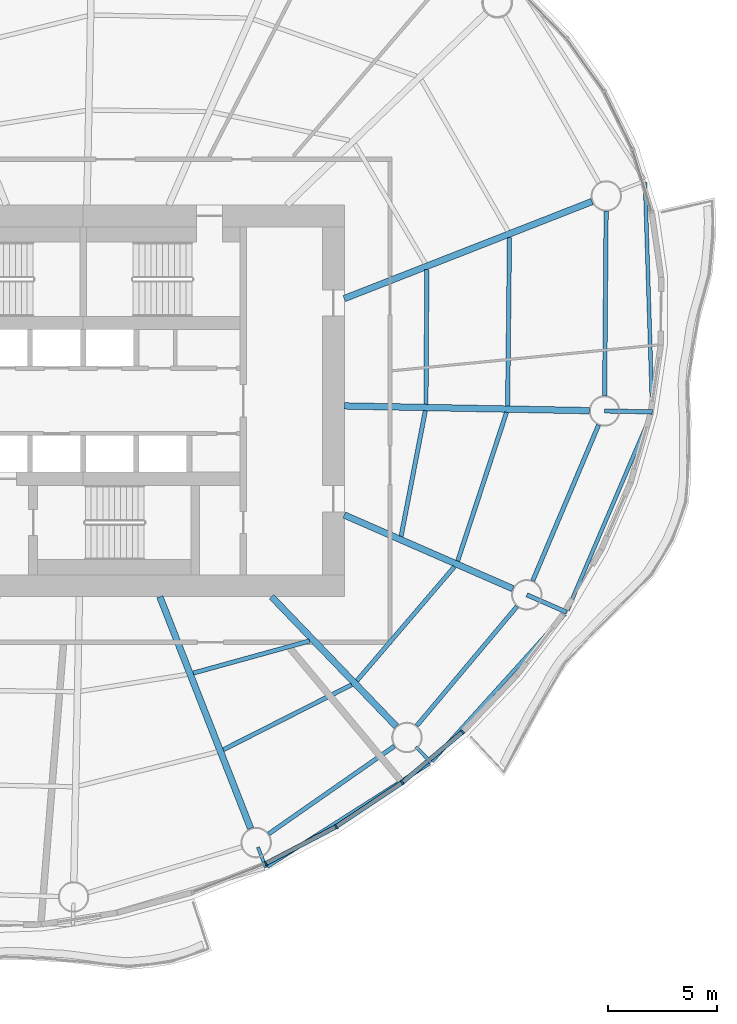
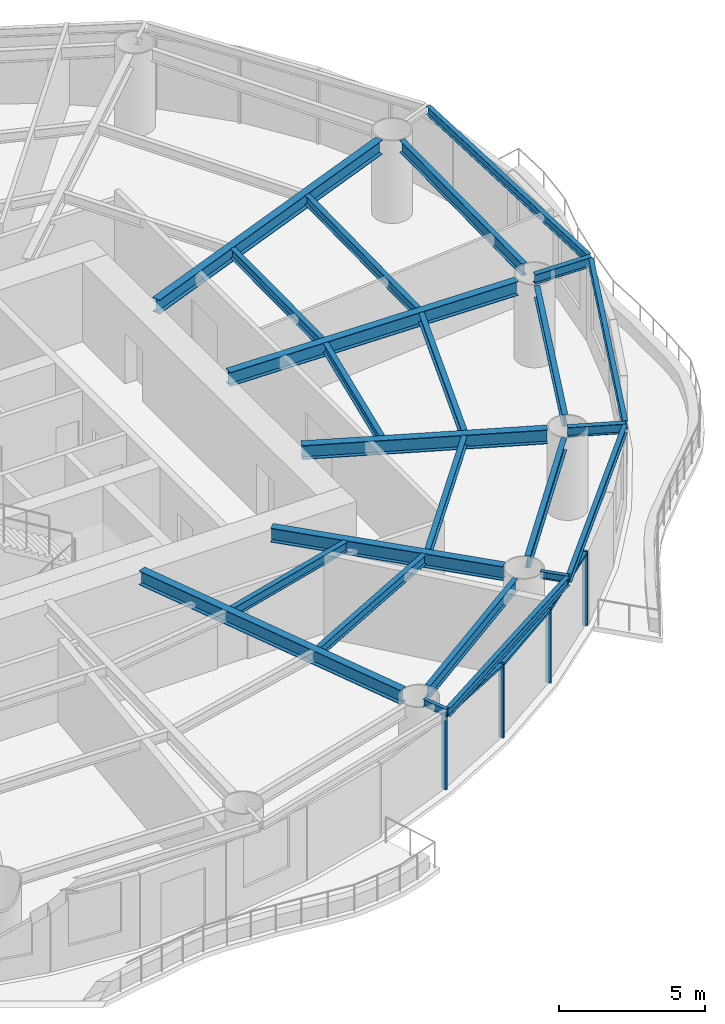
# One storey, part 4 of 14: 24 beams, 7 members, 3 elements without a shape of their own.
"""IFC4 building model written with IfcOpenShell, lengths in metres."""

from ifc_helpers import new_model, si_unit, direction, frame, origin, origin_2d, place, context, subcontext, project, spatial, rectangle, i_section, extrude, material, material_profile, profile_set, type_object, element, aggregate, save


model = new_model("IFC4")

# Units and contexts
model_context = context("Model", 3, precision=1e-05, world=origin(), true_north=direction((0.0, 1.0)))
body_context = subcontext(model_context, "Body", "Model", "MODEL_VIEW")
ifc_project = project(units=[si_unit("LENGTHUNIT", "METRE"), si_unit("AREAUNIT", "SQUARE_METRE"), si_unit("VOLUMEUNIT", "CUBIC_METRE"), si_unit("PLANEANGLEUNIT", "RADIAN"), si_unit("MASSUNIT", "GRAM", prefix="KILO")], contexts=[model_context])

# Site, building, storey
site_placement = place(None, origin())
site = spatial("IfcSite", under=ifc_project, at=site_placement, CompositionType="ELEMENT")
building_placement = place(site_placement, origin())
building = spatial("IfcBuilding", under=site, at=building_placement, Name="Vermilion Reach Broadcast Tower", CompositionType="ELEMENT")
storey_placement = place(building_placement, frame((0.0, 0.0, 157.800048828125)))
storey = spatial("IfcBuildingStorey", under=building, at=storey_placement, Name="L37", CompositionType="ELEMENT", Elevation=157.800048828125)

# Beams
ifc_material_1 = material(Name="Steel S355J2", Category="steel")
ifc_material_profile_1 = material_profile(ifc_material_1, i_section(OverallWidth=0.175048828125, OverallDepth=0.35009765625, WebThickness=0.007080078125, FlangeThickness=0.010986328125, at=origin_2d()), Name="S355J2 HN 350x175x7x11")
ifc_profile_set_1 = profile_set([ifc_material_profile_1], Name="Steel S355J2")
beam_type_1 = type_object("IfcBeamType", Name="EB3 HN 350x175x7x11", PredefinedType="BEAM", material=ifc_profile_set_1)
beam_1_placement = place(storey_placement, frame((2.463134765625, -21.40087890625, 3.27490234375), z_axis=(0.843639873841, 0.53690945537, 0.0), x_axis=(-0.53690945537, 0.843639873841, 0.0)))
element("IfcBeam", 1, at=beam_1_placement, inside=storey, type_object=beam_type_1, Name="Edge beam EB3-12", PredefinedType="BEAM", context=body_context, shape_type="SweptSolid", body=[
    extrude(i_section(OverallWidth=0.175048828125, OverallDepth=0.35009765625, WebThickness=0.007080078125, FlangeThickness=0.010986328125, at=origin_2d()), origin(), (0.0, 0.0, 1.0), 8.83740234375),
])
beam_2_placement = place(storey_placement, frame((10.03369140625, -16.55908203125, 3.27490234375), z_axis=(0.670346165542, 0.742048528294, 0.0), x_axis=(-0.742048528294, 0.670346165542, 0.0)))
element("IfcBeam", 2, at=beam_2_placement, inside=storey, type_object=beam_type_1, Name="Edge beam EB3-13", PredefinedType="BEAM", context=body_context, shape_type="SweptSolid", body=[
    extrude(i_section(OverallWidth=0.175048828125, OverallDepth=0.35009765625, WebThickness=0.007080078125, FlangeThickness=0.010986328125, at=origin_2d()), origin(), (0.0, 0.0, 1.0), 9.121826171875),
])
beam_3_placement = place(storey_placement, frame((16.258544921875, -9.6201171875, 3.27490234375), z_axis=(0.393041453114, 0.919520753509, 0.0), x_axis=(-0.919520753509, 0.393041453114, 0.0)))
element("IfcBeam", 3, at=beam_3_placement, inside=storey, type_object=beam_type_1, Name="Edge beam EB3-14", PredefinedType="BEAM", context=body_context, shape_type="SweptSolid", body=[
    extrude(i_section(OverallWidth=0.175048828125, OverallDepth=0.35009765625, WebThickness=0.007080078125, FlangeThickness=0.010986328125, at=origin_2d()), origin(), (0.0, 0.0, 1.0), 9.80322265625),
])
beam_4_placement = place(storey_placement, frame((20.15087890625, -0.40673828125, 3.27490234375), z_axis=(-0.031222349164, 0.99951246361, 0.0), x_axis=(-0.99951246361, -0.031222349164, 0.0)))
element("IfcBeam", 4, at=beam_4_placement, inside=storey, type_object=beam_type_1, Name="Edge beam EB3-15", PredefinedType="BEAM", context=body_context, shape_type="SweptSolid", body=[
    extrude(i_section(OverallWidth=0.175048828125, OverallDepth=0.35009765625, WebThickness=0.007080078125, FlangeThickness=0.010986328125, at=origin_2d()), origin(), (0.0, 0.0, 1.0), 10.44677734375),
])
ifc_material_2 = material(Name="Steel S355J2", Category="steel")
ifc_material_profile_2 = material_profile(ifc_material_2, i_section(OverallWidth=0.300048828125, OverallDepth=0.587890625, WebThickness=0.011962890625, FlangeThickness=0.02001953125, at=origin_2d()), Name="S355J2 HM 588x300x12x20")
ifc_profile_set_2 = profile_set([ifc_material_profile_2], Name="Steel S355J2")
beam_type_2 = type_object("IfcBeamType", Name="G3 HM 588x300x12x20", PredefinedType="BEAM", material=ifc_profile_set_2)
beam_5_placement = place(storey_placement, frame((-2.474853515625, -9.0, 3.156005859375), z_axis=(0.364715649973, -0.931118947646, 0.0), x_axis=(0.931118947646, 0.364715649973, 0.0)))
element("IfcBeam", 5, at=beam_5_placement, inside=storey, type_object=beam_type_2, Name="Girder G3-12", PredefinedType="BEAM", context=body_context, shape_type="SweptSolid", body=[
    extrude(i_section(OverallWidth=0.300048828125, OverallDepth=0.587890625, WebThickness=0.011962890625, FlangeThickness=0.02001953125, at=origin_2d()), origin(), (0.0, 0.0, 1.0), 11.436767578125),
])
beam_6_placement = place(storey_placement, frame((2.657958984375, -9.0, 3.156005859375), z_axis=(0.693282657492, -0.72066577331, 0.0), x_axis=(0.72066577331, 0.693282657492, 0.0)))
element("IfcBeam", 6, at=beam_6_placement, inside=storey, type_object=beam_type_2, Name="Girder G3-13", PredefinedType="BEAM", context=body_context, shape_type="SweptSolid", body=[
    extrude(i_section(OverallWidth=0.300048828125, OverallDepth=0.587890625, WebThickness=0.011962890625, FlangeThickness=0.02001953125, at=origin_2d()), origin(), (0.0, 0.0, 1.0), 8.273681640625),
])
beam_7_placement = place(storey_placement, frame((6.0, -5.2451171875, 3.156005859375), z_axis=(0.916287847036, -0.400520388213, 0.0), x_axis=(0.400520388213, 0.916287847036, 0.0)))
element("IfcBeam", 7, at=beam_7_placement, inside=storey, type_object=beam_type_2, Name="Girder G3-14", PredefinedType="BEAM", context=body_context, shape_type="SweptSolid", body=[
    extrude(i_section(OverallWidth=0.300048828125, OverallDepth=0.587890625, WebThickness=0.011962890625, FlangeThickness=0.02001953125, at=origin_2d()), origin(), (0.0, 0.0, 1.0), 8.45458984375),
])
beam_8_placement = place(storey_placement, frame((6.0, -0.232421875, 3.156005859375), z_axis=(0.999812170888, -0.019380994401, 0.0), x_axis=(0.019380994401, 0.999812170888, 0.0)))
element("IfcBeam", 8, at=beam_8_placement, inside=storey, type_object=beam_type_2, Name="Girder G3-15", PredefinedType="BEAM", context=body_context, shape_type="SweptSolid", body=[
    extrude(i_section(OverallWidth=0.300048828125, OverallDepth=0.587890625, WebThickness=0.011962890625, FlangeThickness=0.02001953125, at=origin_2d()), origin(), (0.0, 0.0, 1.0), 11.26171875),
])
beam_9_placement = place(storey_placement, frame((6.0, 4.700439453125, 3.156005859375), z_axis=(0.931124635714, 0.364701128004, 0.0), x_axis=(-0.364701128004, 0.931124635714, 0.0)))
element("IfcBeam", 9, at=beam_9_placement, inside=storey, type_object=beam_type_2, Name="Girder G3-16", PredefinedType="BEAM", context=body_context, shape_type="SweptSolid", body=[
    extrude(i_section(OverallWidth=0.300048828125, OverallDepth=0.587890625, WebThickness=0.011962890625, FlangeThickness=0.02001953125, at=origin_2d()), origin(), (0.0, 0.0, 1.0), 12.231201171875),
])
ifc_material_3 = material(Name="Steel S355J2", Category="steel")
ifc_material_profile_3 = material_profile(ifc_material_3, i_section(OverallWidth=0.199951171875, OverallDepth=0.39990234375, WebThickness=0.008056640625, FlangeThickness=0.012939453125, at=origin_2d()), Name="S355J2 HN 400x200x8x13")
ifc_profile_set_3 = profile_set([ifc_material_profile_3], Name="Steel S355J2")
beam_type_3 = type_object("IfcBeamType", Name="GC3 HN 400x200x8x13", PredefinedType="BEAM", material=ifc_profile_set_3)
beam_10_placement = place(storey_placement, frame((14.38818359375, -8.91162109375, 3.25), z_axis=(0.916303081638, -0.400485533548, 0.0), x_axis=(0.400485533548, 0.916303081638, 0.0)))
element("IfcBeam", 10, at=beam_10_placement, inside=storey, type_object=beam_type_3, Name="Cantilever girder GC3-14", PredefinedType="BEAM", context=body_context, shape_type="SweptSolid", body=[
    extrude(i_section(OverallWidth=0.199951171875, OverallDepth=0.39990234375, WebThickness=0.008056640625, FlangeThickness=0.012939453125, at=origin_2d()), origin(), (0.0, 0.0, 1.0), 1.998291015625),
])
beam_11_placement = place(storey_placement, frame((17.95947265625, -0.464111328125, 3.25), z_axis=(0.999810547688, -0.019464550656, 0.0), x_axis=(0.019464550656, 0.999810547688, 0.0)))
element("IfcBeam", 11, at=beam_11_placement, inside=storey, type_object=beam_type_3, Name="Cantilever girder GC3-15", PredefinedType="BEAM", context=body_context, shape_type="SweptSolid", body=[
    extrude(i_section(OverallWidth=0.199951171875, OverallDepth=0.39990234375, WebThickness=0.008056640625, FlangeThickness=0.012939453125, at=origin_2d()), origin(), (0.0, 0.0, 1.0), 2.195068359375),
])
ifc_material_4 = material(Name="Steel S355J2", Category="steel")
ifc_material_profile_4 = material_profile(ifc_material_4, i_section(OverallWidth=0.14990234375, OverallDepth=0.300048828125, WebThickness=0.006591796875, FlangeThickness=0.009033203125, at=origin_2d()), Name="S355J2 HN 300x150x6.5x9")
ifc_profile_set_4 = profile_set([ifc_material_profile_4], Name="Steel S355J2")
beam_type_4 = type_object("IfcBeamType", Name="GS3 HN 300x150x6.5x9", PredefinedType="BEAM", material=ifc_profile_set_4)
for number, where, z_axis, x_axis, name in (
    (12, (2.033935546875, -20.5107421875, 3.300048828125), (0.364730702407, -0.931113051526, 0.0), (0.931113051526, 0.364730702407, 0.0), "Cantilever stub GS3-12"),
    (13, (9.2900390625, -15.894287109375, 3.300048828125), (0.693303837595, -0.720645397388, 0.0), (0.720645397388, 0.693303837595, 0.0), "Cantilever stub GS3-13"),
):
    element("IfcBeam", number, at=place(storey_placement, frame(where, z_axis=z_axis, x_axis=x_axis)), inside=storey, type_object=beam_type_4, Name=name, PredefinedType="BEAM", context=body_context, shape_type="SweptSolid", body=[
        extrude(i_section(OverallWidth=0.14990234375, OverallDepth=0.300048828125, WebThickness=0.006591796875, FlangeThickness=0.009033203125, at=origin_2d()), origin(), (0.0, 0.0, 1.0), 1.0),
    ])
ifc_material_5 = material(Name="Steel S355J2", Category="steel")
ifc_material_profile_5 = material_profile(ifc_material_5, i_section(OverallWidth=0.199951171875, OverallDepth=0.5, WebThickness=0.010009765625, FlangeThickness=0.01611328125, at=origin_2d()), Name="S355J2 HN 500x200x10x16")
ifc_profile_set_5 = profile_set([ifc_material_profile_5], Name="Steel S355J2")
beam_type_5 = type_object("IfcBeamType", Name="RB3 HN 500x200x10x16", PredefinedType="BEAM", material=ifc_profile_set_5)
beam_12_placement = place(storey_placement, frame((2.525634765625, -19.900146484375, 3.199951171875), z_axis=(0.820111453349, 0.572203813415, 0.0), x_axis=(-0.572203813415, 0.820111453349, 0.0)))
element("IfcBeam", 14, at=beam_12_placement, inside=storey, type_object=beam_type_5, Name="Ring beam RB3-12", PredefinedType="BEAM", context=body_context, shape_type="SweptSolid", body=[
    extrude(i_section(OverallWidth=0.199951171875, OverallDepth=0.5, WebThickness=0.010009765625, FlangeThickness=0.01611328125, at=origin_2d()), origin(), (0.0, 0.0, 1.0), 7.04736328125),
])
beam_13_placement = place(storey_placement, frame((9.32958984375, -14.931396484375, 3.199951171875), z_axis=(0.643350337931, 0.765571905626, 0.0), x_axis=(-0.765571905626, 0.643350337931, 0.0)))
element("IfcBeam", 15, at=beam_13_placement, inside=storey, type_object=beam_type_5, Name="Ring beam RB3-13", PredefinedType="BEAM", context=body_context, shape_type="SweptSolid", body=[
    extrude(i_section(OverallWidth=0.199951171875, OverallDepth=0.5, WebThickness=0.010009765625, FlangeThickness=0.01611328125, at=origin_2d()), origin(), (0.0, 0.0, 1.0), 7.1630859375),
])
beam_14_placement = place(storey_placement, frame((14.660888671875, -8.266845703125, 3.199951171875), z_axis=(0.389368386196, 0.921082113512, 0.0), x_axis=(-0.921082113512, 0.389368386196, 0.0)))
element("IfcBeam", 16, at=beam_14_placement, inside=storey, type_object=beam_type_5, Name="Ring beam RB3-14", PredefinedType="BEAM", context=body_context, shape_type="SweptSolid", body=[
    extrude(i_section(OverallWidth=0.199951171875, OverallDepth=0.5, WebThickness=0.010009765625, FlangeThickness=0.01611328125, at=origin_2d()), origin(), (0.0, 0.0, 1.0), 7.771240234375),
])
beam_15_placement = place(storey_placement, frame((17.965087890625, 0.23583984375, 3.199951171875), z_axis=(0.008204232036, 0.999966344722, 0.0), x_axis=(-0.999966344722, 0.008204232036, 0.0)))
element("IfcBeam", 17, at=beam_15_placement, inside=storey, type_object=beam_type_5, Name="Ring beam RB3-15", PredefinedType="BEAM", context=body_context, shape_type="SweptSolid", body=[
    extrude(i_section(OverallWidth=0.199951171875, OverallDepth=0.5, WebThickness=0.010009765625, FlangeThickness=0.01611328125, at=origin_2d()), origin(), (0.0, 0.0, 1.0), 8.48095703125),
])
ifc_material_6 = material(Name="Steel S355J2", Category="steel")
ifc_material_profile_6 = material_profile(ifc_material_6, i_section(OverallWidth=0.199951171875, OverallDepth=0.39990234375, WebThickness=0.008056640625, FlangeThickness=0.012939453125, at=origin_2d()), Name="S355J2 HN 400x200x8x13")
ifc_profile_set_6 = profile_set([ifc_material_profile_6], Name="Steel S355J2")
beam_type_6 = type_object("IfcBeamType", Name="SB3 HN 400x200x8x13", PredefinedType="BEAM", material=ifc_profile_set_6)
beam_16_placement = place(storey_placement, frame((-0.93896484375, -12.509521484375, 3.25), z_axis=(0.963889790258, 0.266301468708, 0.0), x_axis=(-0.266301468708, 0.963889790258, 0.0)))
element("IfcBeam", 18, at=beam_16_placement, inside=storey, type_object=beam_type_6, Name="Secondary beam SB3-12-1", PredefinedType="BEAM", context=body_context, shape_type="SweptSolid", body=[
    extrude(i_section(OverallWidth=0.199951171875, OverallDepth=0.39990234375, WebThickness=0.008056640625, FlangeThickness=0.012939453125, at=origin_2d()), origin(), (0.0, 0.0, 1.0), 5.544677734375),
])
beam_17_placement = place(storey_placement, frame((0.4404296875, -16.03125, 3.25), z_axis=(0.892320561657, 0.451402276516, 0.0), x_axis=(-0.451402276516, 0.892320561657, 0.0)))
element("IfcBeam", 19, at=beam_17_placement, inside=storey, type_object=beam_type_6, Name="Secondary beam SB3-12-2", PredefinedType="BEAM", context=body_context, shape_type="SweptSolid", body=[
    extrude(i_section(OverallWidth=0.199951171875, OverallDepth=0.39990234375, WebThickness=0.008056640625, FlangeThickness=0.012939453125, at=origin_2d()), origin(), (0.0, 0.0, 1.0), 6.613525390625),
])
beam_18_placement = place(storey_placement, frame((6.579833984375, -12.860595703125, 3.25), z_axis=(0.650167134505, 0.759791219487, 0.0), x_axis=(-0.759791219487, 0.650167134505, 0.0)))
element("IfcBeam", 20, at=beam_18_placement, inside=storey, type_object=beam_type_6, Name="Secondary beam SB3-13-2", PredefinedType="BEAM", context=body_context, shape_type="SweptSolid", body=[
    extrude(i_section(OverallWidth=0.199951171875, OverallDepth=0.39990234375, WebThickness=0.008056640625, FlangeThickness=0.012939453125, at=origin_2d()), origin(), (0.0, 0.0, 1.0), 6.89501953125),
])
beam_19_placement = place(storey_placement, frame((8.611328125, -6.222900390625, 3.25), z_axis=(0.189462365782, 0.981887983404, 0.0), x_axis=(-0.981887983404, 0.189462365782, 0.0)))
element("IfcBeam", 21, at=beam_19_placement, inside=storey, type_object=beam_type_6, Name="Secondary beam SB3-14-1", PredefinedType="BEAM", context=body_context, shape_type="SweptSolid", body=[
    extrude(i_section(OverallWidth=0.199951171875, OverallDepth=0.39990234375, WebThickness=0.008056640625, FlangeThickness=0.012939453125, at=origin_2d()), origin(), (0.0, 0.0, 1.0), 5.874755859375),
])
beam_20_placement = place(storey_placement, frame((11.211669921875, -7.359375, 3.25), z_axis=(0.312243016281, 0.950002262515, 0.0), x_axis=(-0.950002262515, 0.312243016281, 0.0)))
element("IfcBeam", 22, at=beam_20_placement, inside=storey, type_object=beam_type_6, Name="Secondary beam SB3-14-2", PredefinedType="BEAM", context=body_context, shape_type="SweptSolid", body=[
    extrude(i_section(OverallWidth=0.199951171875, OverallDepth=0.39990234375, WebThickness=0.008056640625, FlangeThickness=0.012939453125, at=origin_2d()), origin(), (0.0, 0.0, 1.0), 7.19189453125),
])
beam_21_placement = place(storey_placement, frame((9.754150390625, -0.1552734375, 3.25), z_axis=(0.006635449147, 0.999977985165, 0.0), x_axis=(-0.999977985165, 0.006635449147, 0.0)))
element("IfcBeam", 23, at=beam_21_placement, inside=storey, type_object=beam_type_6, Name="Secondary beam SB3-15-1", PredefinedType="BEAM", context=body_context, shape_type="SweptSolid", body=[
    extrude(i_section(OverallWidth=0.199951171875, OverallDepth=0.39990234375, WebThickness=0.008056640625, FlangeThickness=0.012939453125, at=origin_2d()), origin(), (0.0, 0.0, 1.0), 6.181396484375),
])
beam_22_placement = place(storey_placement, frame((13.508056640625, -0.22802734375, 3.25), z_axis=(0.010691708672, 0.999942842049, 0.0), x_axis=(-0.999942842049, 0.010691708672, 0.0)))
element("IfcBeam", 24, at=beam_22_placement, inside=storey, type_object=beam_type_6, Name="Secondary beam SB3-15-2", PredefinedType="BEAM", context=body_context, shape_type="SweptSolid", body=[
    extrude(i_section(OverallWidth=0.199951171875, OverallDepth=0.39990234375, WebThickness=0.008056640625, FlangeThickness=0.012939453125, at=origin_2d()), origin(), (0.0, 0.0, 1.0), 7.740966796875),
])

# Curtain wall, member
ifc_material_7 = material(Name="Low-e laminated clear glass in aluminium frame", Category="aluminium")
curtain_wall_type = type_object("IfcCurtainWallType", Name="Slot curtain wall", PredefinedType="NOTDEFINED", material=ifc_material_7)
placement = place(storey_placement, origin())
curtain_wall_1 = element("IfcCurtainWall", 25, at=placement, inside=storey, type_object=curtain_wall_type, Name="Slot curtain wall L37 35", PredefinedType="NOTDEFINED")
ifc_material_8 = material(Name="Anodised aluminium", Category="aluminium")
ifc_material_profile_7 = material_profile(ifc_material_8, rectangle(XDim=0.199951171875, YDim=0.080078125, at=origin_2d()), Name="Slot mullion 80 x 200")
ifc_profile_set_7 = profile_set([ifc_material_profile_7], Name="Anodised aluminium")
member_type_1 = type_object("IfcMemberType", Name="Slot mullion 80 x 200", PredefinedType="MULLION", material=ifc_profile_set_7)
member_1_placement = place(storey_placement, frame((2.397705078125, -21.26025390625, 0.0), z_axis=(0.0, 0.0, 1.0), x_axis=(-0.415551741252, 0.909569541235, 0.0)))
member_1 = element("IfcMember", 26, at=member_1_placement, type_object=member_type_1, Name="Slot mullion L37 35", PredefinedType="MULLION", context=body_context, shape_type="SweptSolid", body=[
    extrude(rectangle(XDim=0.199951171875, YDim=0.080078125, at=origin_2d()), origin(), (0.0, 0.0, 1.0), 3.099853515625),
])

curtain_wall_2 = element("IfcCurtainWall", 27, at=placement, inside=storey, type_object=curtain_wall_type, Name="Slot curtain wall L37 36", PredefinedType="NOTDEFINED")
member_2_placement = place(storey_placement, frame((5.6279296875, -19.568359375, 0.0), z_axis=(0.0, 0.0, 1.0), x_axis=(-0.51084299149, 0.85967403011, 0.0)))
member_2 = element("IfcMember", 28, at=member_2_placement, type_object=member_type_1, Name="Slot mullion L37 36", PredefinedType="MULLION", context=body_context, shape_type="SweptSolid", body=[
    extrude(rectangle(XDim=0.199951171875, YDim=0.080078125, at=origin_2d()), origin(), (0.0, 0.0, 1.0), 3.099853515625),
])

# Curtain wall, members
curtain_wall_3 = element("IfcCurtainWall", 29, at=placement, inside=storey, type_object=curtain_wall_type, Name="Slot curtain wall L37 37", PredefinedType="NOTDEFINED")
member_3_placement = place(storey_placement, frame((8.658447265625, -17.5400390625, 0.0), z_axis=(0.0, 0.0, 1.0), x_axis=(-0.600223930995, 0.799832002774, 0.0)))
member_3 = element("IfcMember", 30, at=member_3_placement, type_object=member_type_1, Name="Slot mullion L37 37", PredefinedType="MULLION", context=body_context, shape_type="SweptSolid", body=[
    extrude(rectangle(XDim=0.199951171875, YDim=0.080078125, at=origin_2d()), origin(), (0.0, 0.0, 1.0), 3.099853515625),
])
member_4_placement = place(storey_placement, frame((11.43701171875, -15.21044921875, 0.0), z_axis=(0.0, 0.0, 1.0), x_axis=(-0.683541277797, 0.729911858753, 0.0)))
member_4 = element("IfcMember", 31, at=member_4_placement, type_object=member_type_1, Name="Slot mullion L37 38", PredefinedType="MULLION", context=body_context, shape_type="SweptSolid", body=[
    extrude(rectangle(XDim=0.199951171875, YDim=0.080078125, at=origin_2d()), origin(), (0.0, 0.0, 1.0), 3.099853515625),
])

# Member
ifc_material_9 = material(Name="Anodised aluminium", Category="aluminium")
ifc_material_profile_8 = material_profile(ifc_material_9, rectangle(XDim=0.199951171875, YDim=0.10009765625, at=origin_2d()), Name="Slot transom 200 x 100")
ifc_profile_set_8 = profile_set([ifc_material_profile_8], Name="Anodised aluminium")
member_type_2 = type_object("IfcMemberType", Name="Slot transom 200 x 100", PredefinedType="USERDEFINED", material=ifc_profile_set_8)
member_5_placement = place(storey_placement, frame((2.43310546875, -21.24169921875, 3.050048828125), z_axis=(0.885848952386, 0.463973742313, 0.0), x_axis=(-0.463973742313, 0.885848952386, 0.0)))
member_5 = element("IfcMember", 32, at=member_5_placement, type_object=member_type_2, Name="Slot transom L37 35.1", ObjectType="TRANSOM", PredefinedType="USERDEFINED", context=body_context, shape_type="SweptSolid", body=[
    extrude(rectangle(XDim=0.199951171875, YDim=0.10009765625, at=origin_2d()), origin(), (0.0, 0.0, 1.0), 3.566650390625),
])

aggregate(curtain_wall_1, [member_1, member_5])

member_6_placement = place(storey_placement, frame((5.661376953125, -19.546142578125, 3.050048828125), z_axis=(0.831016796819, 0.556247322154, 0.0), x_axis=(-0.556247322154, 0.831016796819, 0.0)))
member_6 = element("IfcMember", 33, at=member_6_placement, type_object=member_type_2, Name="Slot transom L37 36.1", ObjectType="TRANSOM", PredefinedType="USERDEFINED", context=body_context, shape_type="SweptSolid", body=[
    extrude(rectangle(XDim=0.199951171875, YDim=0.10009765625, at=origin_2d()), origin(), (0.0, 0.0, 1.0), 3.566650390625),
])

aggregate(curtain_wall_2, [member_2, member_6])

member_7_placement = place(storey_placement, frame((8.689208984375, -17.514404296875, 3.050048828125), z_axis=(0.766259339845, 0.642531418765, 0.0), x_axis=(-0.642531418765, 0.766259339845, 0.0)))
member_7 = element("IfcMember", 34, at=member_7_placement, type_object=member_type_2, Name="Slot transom L37 37.1", ObjectType="TRANSOM", PredefinedType="USERDEFINED", context=body_context, shape_type="SweptSolid", body=[
    extrude(rectangle(XDim=0.199951171875, YDim=0.10009765625, at=origin_2d()), origin(), (0.0, 0.0, 1.0), 3.5458984375),
])

aggregate(curtain_wall_3, [member_3, member_4, member_7])

save(model, "model.ifc")
